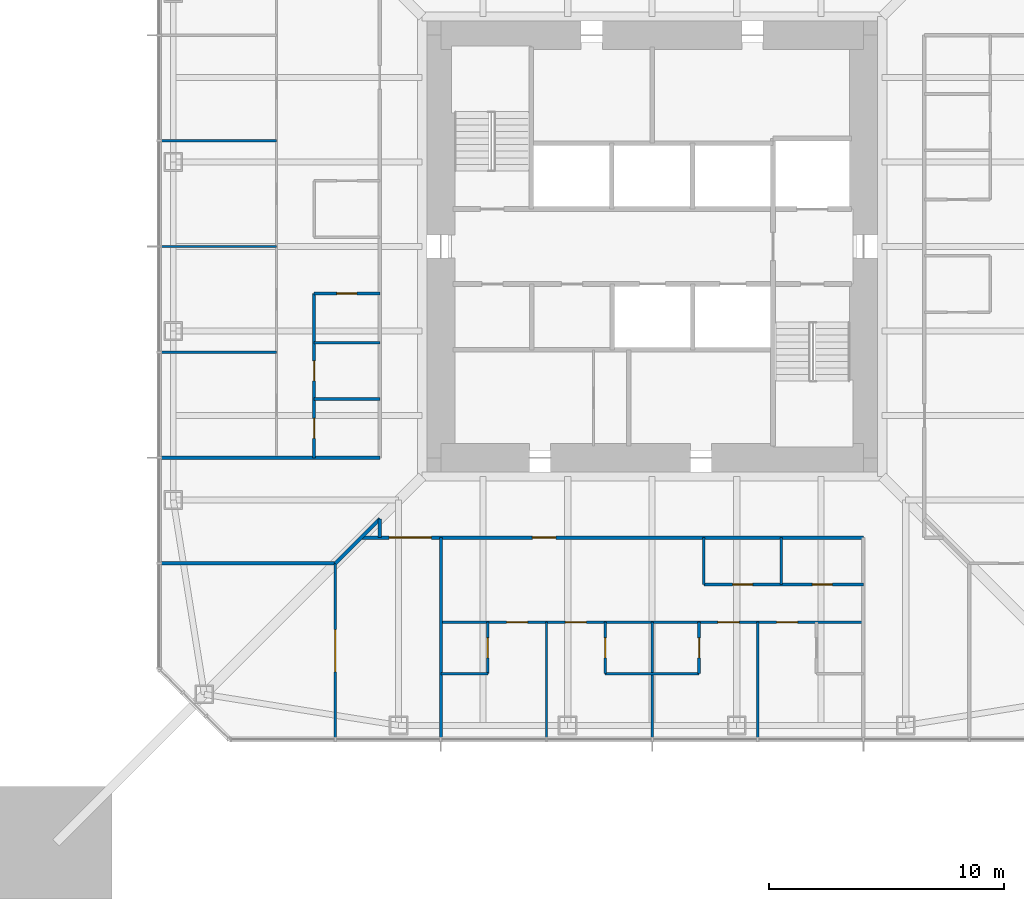
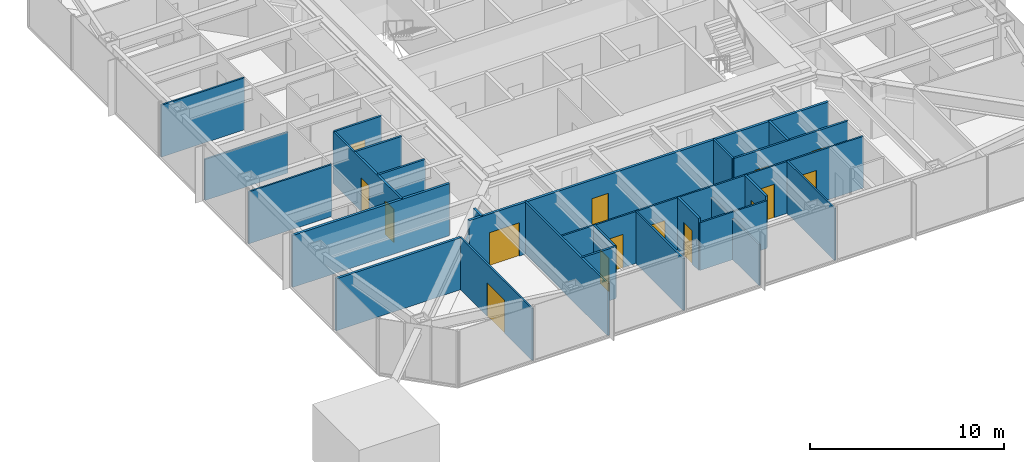
# One storey, part 13 of 25: 26 walls, 15 doors, 15 openings.
"""IFC4 building model written with IfcOpenShell, lengths in metres."""

from ifc_helpers import new_model, si_unit, direction, frame, frame_2d, origin, place, context, subcontext, project, spatial, rectangle, extrude, material, layer, layer_set, type_object, element, fill, save


model = new_model("IFC4")

# Units and contexts
model_context = context("Model", 3, precision=1e-05, world=origin(), true_north=direction((0.0, 1.0)))
body_context = subcontext(model_context, "Body", "Model", "MODEL_VIEW")
ifc_project = project(units=[si_unit("LENGTHUNIT", "METRE"), si_unit("AREAUNIT", "SQUARE_METRE"), si_unit("VOLUMEUNIT", "CUBIC_METRE"), si_unit("PLANEANGLEUNIT", "RADIAN"), si_unit("MASSUNIT", "GRAM", prefix="KILO")], contexts=[model_context])

# Site, building, storey
site_placement = place(None, origin())
site = spatial("IfcSite", under=ifc_project, at=site_placement, CompositionType="ELEMENT")
building_placement = place(site_placement, origin())
building = spatial("IfcBuilding", under=site, at=building_placement, Name="Iwan Alto Co-Living Towers", CompositionType="ELEMENT")
storey_placement = place(building_placement, frame((0.0, 0.0, 87.5)))
storey = spatial("IfcBuildingStorey", under=building, at=storey_placement, Name="L23", CompositionType="ELEMENT", Elevation=87.5)

# Wall
ifc_material_1 = material(Name="Gypsum board")
ifc_layer_1 = layer(ifc_material_1, 0.02490234375, Name="Board", Category="Finish")
ifc_material_2 = material(Name="Steel ASTM A1003 ST33H cold-formed studs", Category="steel")
ifc_layer_2 = layer(ifc_material_2, 0.10009765625, Name="Studs", Category="Framing")
ifc_layer_3 = layer(ifc_material_1, 0.02490234375, Name="Board", Category="Finish")
ifc_layer_set_1 = layer_set([ifc_layer_1, ifc_layer_2, ifc_layer_3], Name="CORRIDOR WALL 150")
wall_type_1 = type_object("IfcWallType", Name="CORRIDOR WALL 150", PredefinedType="PARTITIONING", material=ifc_layer_set_1)
wall_1_placement = place(storey_placement, frame((-20.93994140625, -13.5, 0.0), z_axis=(0.0, 0.0, 1.0), x_axis=(1.0, 0.0, 0.0)))
element("IfcWall", 1, at=wall_1_placement, inside=storey, type_object=wall_type_1, Name="Partition L23", PredefinedType="PARTITIONING", context=body_context, shape_type="SweptSolid", body=[
    extrude(rectangle(XDim=7.43994140625, YDim=0.14990234375, at=frame_2d((3.719970703125, 0.0))), origin(), (0.0, 0.0, 1.0), 3.27001953125),
])

# Wall, openings, doors
wall_2_placement = place(storey_placement, frame((-12.39990234375, -12.39990234375, 0.0), z_axis=(0.0, 0.0, 1.0), x_axis=(1.0, 0.0, 0.0)))
wall_2 = element("IfcWall", 2, at=wall_2_placement, inside=storey, type_object=wall_type_1, Name="Partition L23", PredefinedType="PARTITIONING", context=body_context, shape_type="SweptSolid", body=[
    extrude(rectangle(XDim=21.39990234375, YDim=0.14990234375, at=frame_2d((10.699951171875, 0.0))), origin(), (0.0, 0.0, 1.0), 3.27001953125),
])
opening_1_placement = place(wall_2_placement, frame((1.199951171875, 0.0, 0.0)))
opening_1 = element("IfcOpeningElement", 3, at=opening_1_placement, cuts=wall_2, Name="Opening D9", PredefinedType="OPENING", context=body_context, shape_type="SweptSolid", body=[
    extrude(rectangle(XDim=1.800048828125, YDim=2.10009765625, at=frame_2d((0.89990234375, 1.050048828125))), frame((0.0, 0.0849609375, 0.0), z_axis=(0.0, -1.0, 0.0), x_axis=(1.0, 0.0, 0.0)), (0.0, 0.0, 1.0), 0.169921875),
])
opening_2_placement = place(wall_2_placement, frame((7.300048828125, 0.0, 0.0)))
opening_2 = element("IfcOpeningElement", 4, at=opening_2_placement, cuts=wall_2, Name="Opening D3", PredefinedType="OPENING", context=body_context, shape_type="SweptSolid", body=[
    extrude(rectangle(XDim=1.0, YDim=2.10009765625, at=frame_2d((0.5, 1.050048828125))), frame((0.0, 0.0849609375, 0.0), z_axis=(0.0, -1.0, 0.0), x_axis=(1.0, 0.0, 0.0)), (0.0, 0.0, 1.0), 0.169921875),
])
ifc_material_3 = material(Name="Steel frame with timber leaf", Category="steel")
door_type_1 = type_object("IfcDoorType", Name="FLAT ENTRANCE DOOR FD30S 1000X2100", OperationType="SINGLE_SWING_LEFT", PredefinedType="DOOR", material=ifc_material_3)
door_1_placement = place(opening_2_placement, frame((1.0, 0.0, 0.0), z_axis=(0.0, 0.0, 1.0), x_axis=(-1.0, 0.0, 0.0)))
door_1 = element("IfcDoor", 5, at=door_1_placement, inside=storey, type_object=door_type_1, Name="Cluster lounge and shared kitchen door L23", OperationType="SINGLE_SWING_RIGHT", OverallHeight=2.10009765625, OverallWidth=1.0, PredefinedType="DOOR", context=body_context, shape_type="SweptSolid", body=[
    extrude(rectangle(XDim=1.0, YDim=2.10009765625, at=frame_2d((0.5, 1.050048828125))), frame((0.0, 0.02490234375, 0.0), z_axis=(0.0, -1.0, 0.0), x_axis=(1.0, 0.0, 0.0)), (0.0, 0.0, 1.0), 0.050048828125),
])
fill(opening_2, door_1)
ifc_material_4 = material(Name="Steel frame with timber leaf", Category="steel")
door_type_2 = type_object("IfcDoorType", Name="LOUNGE DOOR FD30S 1800X2100", OperationType="DOUBLE_DOOR_SINGLE_SWING", PredefinedType="DOOR", material=ifc_material_4)
door_2_placement = place(opening_1_placement, frame((1.800048828125, 0.0, 0.0), z_axis=(0.0, 0.0, 1.0), x_axis=(-1.0, 0.0, 0.0)))
door_2 = element("IfcDoor", 6, at=door_2_placement, inside=storey, type_object=door_type_2, Name="Study commons door L23", OperationType="DOUBLE_DOOR_SINGLE_SWING", OverallHeight=2.10009765625, OverallWidth=1.800048828125, PredefinedType="DOOR", context=body_context, shape_type="SweptSolid", body=[
    extrude(rectangle(XDim=1.800048828125, YDim=2.10009765625, at=frame_2d((0.89990234375, 1.050048828125))), frame((0.0, 0.02490234375, 0.0), z_axis=(0.0, -1.0, 0.0), x_axis=(1.0, 0.0, 0.0)), (0.0, 0.0, 1.0), 0.050048828125),
])
fill(opening_1, door_2)

# Walls
wall_3_placement = place(storey_placement, frame((-20.93994140625, -9.0, 0.0), z_axis=(0.0, 0.0, 1.0), x_axis=(1.0, 0.0, 0.0)))
element("IfcWall", 7, at=wall_3_placement, inside=storey, type_object=wall_type_1, Name="Partition L23", PredefinedType="PARTITIONING", context=body_context, shape_type="SweptSolid", body=[
    extrude(rectangle(XDim=9.33984375, YDim=0.14990234375, at=frame_2d((4.669921875, 0.0))), origin(), (0.0, 0.0, 1.0), 3.27001953125),
])
wall_4_placement = place(storey_placement, frame((-13.5, -13.5, 0.0), z_axis=(0.0, 0.0, 1.0), x_axis=(0.707106781187, 0.707106781187, 0.0)))
element("IfcWall", 8, at=wall_4_placement, inside=storey, type_object=wall_type_1, Name="Partition L23", PredefinedType="PARTITIONING", context=body_context, shape_type="SweptSolid", body=[
    extrude(rectangle(XDim=2.686767578125, YDim=0.14990234375, at=frame_2d((1.34326171875, 0.0))), origin(), (0.0, 0.0, 1.0), 2.343017578125),
])
wall_5_placement = place(storey_placement, frame((-11.60009765625, -12.39990234375, 0.0), z_axis=(0.0, 0.0, 1.0), x_axis=(0.0, 1.0, 0.0)))
element("IfcWall", 9, at=wall_5_placement, inside=storey, type_object=wall_type_1, Name="Partition L23", PredefinedType="PARTITIONING", context=body_context, shape_type="SweptSolid", body=[
    extrude(rectangle(XDim=0.7998046875, YDim=0.14990234375, at=frame_2d((0.39990234375, 0.0))), origin(), (0.0, 0.0, 1.0), 3.27001953125),
])
ifc_layer_4 = layer(ifc_material_1, 0.012451171875, Name="Board", Category="Finish")
ifc_layer_5 = layer(ifc_material_2, 0.074951171875, Name="Studs", Category="Framing")
ifc_layer_6 = layer(ifc_material_1, 0.012451171875, Name="Board", Category="Finish")
ifc_layer_set_2 = layer_set([ifc_layer_4, ifc_layer_5, ifc_layer_6], Name="PARTITION 100")
wall_type_2 = type_object("IfcWallType", Name="PARTITION 100", PredefinedType="PARTITIONING", material=ifc_layer_set_2)
wall_6_placement = place(storey_placement, frame((-2.0, -18.199951171875, 0.0), z_axis=(0.0, 0.0, 1.0), x_axis=(1.0, 0.0, 0.0)))
element("IfcWall", 10, at=wall_6_placement, inside=storey, type_object=wall_type_2, Name="Partition L23", PredefinedType="PARTITIONING", context=body_context, shape_type="SweptSolid", body=[
    extrude(rectangle(XDim=4.0, YDim=0.10009765625, at=frame_2d((2.0, 0.0))), origin(), (0.0, 0.0, 1.0), 3.0),
])

# Wall, openings, doors
wall_7_placement = place(storey_placement, frame((-9.0, -16.0, 0.0), z_axis=(0.0, 0.0, 1.0), x_axis=(1.0, 0.0, 0.0)))
wall_7 = element("IfcWall", 11, at=wall_7_placement, inside=storey, type_object=wall_type_2, Name="Partition L23", PredefinedType="PARTITIONING", context=body_context, shape_type="SweptSolid", body=[
    extrude(rectangle(XDim=18.0, YDim=0.10009765625, at=frame_2d((9.0, 0.0))), origin(), (0.0, 0.0, 1.0), 3.27001953125),
])
opening_3_placement = place(wall_7_placement, frame((2.800048828125, 0.0, 0.0)))
opening_3 = element("IfcOpeningElement", 12, at=opening_3_placement, cuts=wall_7, Name="Opening D1", PredefinedType="OPENING", context=body_context, shape_type="SweptSolid", body=[
    extrude(rectangle(XDim=0.89990234375, YDim=2.10009765625, at=frame_2d((0.449951171875, 1.050048828125))), frame((0.0, 0.06005859375, 0.0), z_axis=(0.0, -1.0, 0.0), x_axis=(1.0, 0.0, 0.0)), (0.0, 0.0, 1.0), 0.1201171875),
])
opening_4_placement = place(wall_7_placement, frame((5.300048828125, 0.0, 0.0)))
opening_4 = element("IfcOpeningElement", 13, at=opening_4_placement, cuts=wall_7, Name="Opening D1", PredefinedType="OPENING", context=body_context, shape_type="SweptSolid", body=[
    extrude(rectangle(XDim=0.89990234375, YDim=2.10009765625, at=frame_2d((0.449951171875, 1.050048828125))), frame((0.0, 0.06005859375, 0.0), z_axis=(0.0, -1.0, 0.0), x_axis=(1.0, 0.0, 0.0)), (0.0, 0.0, 1.0), 0.1201171875),
])
opening_5_placement = place(wall_7_placement, frame((11.800048828125, 0.0, 0.0)))
opening_5 = element("IfcOpeningElement", 14, at=opening_5_placement, cuts=wall_7, Name="Opening D1", PredefinedType="OPENING", context=body_context, shape_type="SweptSolid", body=[
    extrude(rectangle(XDim=0.89990234375, YDim=2.10009765625, at=frame_2d((0.449951171875, 1.050048828125))), frame((0.0, 0.06005859375, 0.0), z_axis=(0.0, -1.0, 0.0), x_axis=(1.0, 0.0, 0.0)), (0.0, 0.0, 1.0), 0.1201171875),
])
opening_6_placement = place(wall_7_placement, frame((14.300048828125, 0.0, 0.0)))
opening_6 = element("IfcOpeningElement", 15, at=opening_6_placement, cuts=wall_7, Name="Opening D1", PredefinedType="OPENING", context=body_context, shape_type="SweptSolid", body=[
    extrude(rectangle(XDim=0.89990234375, YDim=2.10009765625, at=frame_2d((0.449951171875, 1.050048828125))), frame((0.0, 0.06005859375, 0.0), z_axis=(0.0, -1.0, 0.0), x_axis=(1.0, 0.0, 0.0)), (0.0, 0.0, 1.0), 0.1201171875),
])
ifc_material_5 = material(Name="Timber leaf in steel frame", Category="steel")
door_type_3 = type_object("IfcDoorType", Name="BEDROOM DOOR 900X2100", OperationType="SINGLE_SWING_LEFT", PredefinedType="DOOR", material=ifc_material_5)
door_3_placement = place(opening_3_placement, origin())
door_3 = element("IfcDoor", 16, at=door_3_placement, inside=storey, type_object=door_type_3, Name="Study bedroom door L23", OperationType="SINGLE_SWING_LEFT", OverallHeight=2.10009765625, OverallWidth=0.89990234375, PredefinedType="DOOR", context=body_context, shape_type="SweptSolid", body=[
    extrude(rectangle(XDim=0.89990234375, YDim=2.10009765625, at=frame_2d((0.449951171875, 1.050048828125))), frame((0.0, 0.02490234375, 0.0), z_axis=(0.0, -1.0, 0.0), x_axis=(1.0, 0.0, 0.0)), (0.0, 0.0, 1.0), 0.050048828125),
])
fill(opening_3, door_3)
door_4_placement = place(opening_4_placement, origin())
door_4 = element("IfcDoor", 17, at=door_4_placement, inside=storey, type_object=door_type_3, Name="Study bedroom door L23", OperationType="SINGLE_SWING_LEFT", OverallHeight=2.10009765625, OverallWidth=0.89990234375, PredefinedType="DOOR", context=body_context, shape_type="SweptSolid", body=[
    extrude(rectangle(XDim=0.89990234375, YDim=2.10009765625, at=frame_2d((0.449951171875, 1.050048828125))), frame((0.0, 0.02490234375, 0.0), z_axis=(0.0, -1.0, 0.0), x_axis=(1.0, 0.0, 0.0)), (0.0, 0.0, 1.0), 0.050048828125),
])
fill(opening_4, door_4)
door_5_placement = place(opening_5_placement, origin())
door_5 = element("IfcDoor", 18, at=door_5_placement, inside=storey, type_object=door_type_3, Name="Study bedroom door L23", OperationType="SINGLE_SWING_RIGHT", OverallHeight=2.10009765625, OverallWidth=0.89990234375, PredefinedType="DOOR", context=body_context, shape_type="SweptSolid", body=[
    extrude(rectangle(XDim=0.89990234375, YDim=2.10009765625, at=frame_2d((0.449951171875, 1.050048828125))), frame((0.0, 0.02490234375, 0.0), z_axis=(0.0, -1.0, 0.0), x_axis=(1.0, 0.0, 0.0)), (0.0, 0.0, 1.0), 0.050048828125),
])
fill(opening_5, door_5)
door_6_placement = place(opening_6_placement, origin())
door_6 = element("IfcDoor", 19, at=door_6_placement, inside=storey, type_object=door_type_3, Name="Study bedroom door L23", OperationType="SINGLE_SWING_RIGHT", OverallHeight=2.10009765625, OverallWidth=0.89990234375, PredefinedType="DOOR", context=body_context, shape_type="SweptSolid", body=[
    extrude(rectangle(XDim=0.89990234375, YDim=2.10009765625, at=frame_2d((0.449951171875, 1.050048828125))), frame((0.0, 0.02490234375, 0.0), z_axis=(0.0, -1.0, 0.0), x_axis=(1.0, 0.0, 0.0)), (0.0, 0.0, 1.0), 0.050048828125),
])
fill(opening_6, door_6)

# Walls
wall_8_placement = place(storey_placement, frame((-20.93994140625, -4.5, 0.0), z_axis=(0.0, 0.0, 1.0), x_axis=(1.0, 0.0, 0.0)))
element("IfcWall", 20, at=wall_8_placement, inside=storey, type_object=wall_type_2, Name="Partition L23", PredefinedType="PARTITIONING", context=body_context, shape_type="SweptSolid", body=[
    extrude(rectangle(XDim=4.93994140625, YDim=0.10009765625, at=frame_2d((2.469970703125, 0.0))), origin(), (0.0, 0.0, 1.0), 3.27001953125),
])
wall_9_placement = place(storey_placement, frame((-20.93994140625, 0.0, 0.0), z_axis=(0.0, 0.0, 1.0), x_axis=(1.0, 0.0, 0.0)))
element("IfcWall", 21, at=wall_9_placement, inside=storey, type_object=wall_type_2, Name="Partition L23", PredefinedType="PARTITIONING", context=body_context, shape_type="SweptSolid", body=[
    extrude(rectangle(XDim=4.93994140625, YDim=0.10009765625, at=frame_2d((2.469970703125, 0.0))), origin(), (0.0, 0.0, 1.0), 2.586669921875),
])
for number, where, z_axis, x_axis, name in (
    (22, (-20.93994140625, 4.5, 0.0), (0.0, 0.0, 1.0), (1.0, 0.0, 0.0), "Partition L23"),
    (23, (4.5, -20.93994140625, 0.0), (0.0, 0.0, 1.0), (0.0, 1.0, 0.0), "Partition L23"),
):
    element("IfcWall", number, at=place(storey_placement, frame(where, z_axis=z_axis, x_axis=x_axis)), inside=storey, type_object=wall_type_2, Name=name, PredefinedType="PARTITIONING", context=body_context, shape_type="SweptSolid", body=[
        extrude(rectangle(XDim=4.93994140625, YDim=0.10009765625, at=frame_2d((2.469970703125, 0.0))), origin(), (0.0, 0.0, 1.0), 3.27001953125),
    ])
wall_10_placement = place(storey_placement, frame((0.0, -20.93994140625, 0.0), z_axis=(0.0, 0.0, 1.0), x_axis=(0.0, 1.0, 0.0)))
element("IfcWall", 24, at=wall_10_placement, inside=storey, type_object=wall_type_2, Name="Partition L23", PredefinedType="PARTITIONING", context=body_context, shape_type="SweptSolid", body=[
    extrude(rectangle(XDim=4.93994140625, YDim=0.10009765625, at=frame_2d((2.469970703125, 0.0))), origin(), (0.0, 0.0, 1.0), 2.586669921875),
])
wall_11_placement = place(storey_placement, frame((-4.5, -20.93994140625, 0.0), z_axis=(0.0, 0.0, 1.0), x_axis=(0.0, 1.0, 0.0)))
element("IfcWall", 25, at=wall_11_placement, inside=storey, type_object=wall_type_2, Name="Partition L23", PredefinedType="PARTITIONING", context=body_context, shape_type="SweptSolid", body=[
    extrude(rectangle(XDim=4.93994140625, YDim=0.10009765625, at=frame_2d((2.469970703125, 0.0))), origin(), (0.0, 0.0, 1.0), 3.27001953125),
])

# Wall, opening, door
wall_12_placement = place(storey_placement, frame((-13.5, -20.93994140625, 0.0), z_axis=(0.0, 0.0, 1.0), x_axis=(0.0, 1.0, 0.0)))
wall_12 = element("IfcWall", 26, at=wall_12_placement, inside=storey, type_object=wall_type_2, Name="Partition L23", PredefinedType="PARTITIONING", context=body_context, shape_type="SweptSolid", body=[
    extrude(rectangle(XDim=7.43994140625, YDim=0.10009765625, at=frame_2d((3.719970703125, 0.0))), origin(), (0.0, 0.0, 1.0), 3.27001953125),
])
opening_7_placement = place(wall_12_placement, frame((2.820068359375, 0.0, 0.0)))
opening_7 = element("IfcOpeningElement", 27, at=opening_7_placement, cuts=wall_12, Name="Opening D14", PredefinedType="OPENING", context=body_context, shape_type="SweptSolid", body=[
    extrude(rectangle(XDim=1.800048828125, YDim=2.10009765625, at=frame_2d((0.89990234375, 1.050048828125))), frame((0.0, 0.06005859375, 0.0), z_axis=(0.0, -1.0, 0.0), x_axis=(1.0, 0.0, 0.0)), (0.0, 0.0, 1.0), 0.1201171875),
])
ifc_material_6 = material(Name="Timber leaf in steel frame", Category="steel")
door_type_4 = type_object("IfcDoorType", Name="LOUNGE DOOR 1800X2100", OperationType="DOUBLE_DOOR_SINGLE_SWING", PredefinedType="DOOR", material=ifc_material_6)
door_7_placement = place(opening_7_placement, origin())
door_7 = element("IfcDoor", 28, at=door_7_placement, inside=storey, type_object=door_type_4, Name="Courtyard lounge door L23", OperationType="DOUBLE_DOOR_SINGLE_SWING", OverallHeight=2.10009765625, OverallWidth=1.800048828125, PredefinedType="DOOR", context=body_context, shape_type="SweptSolid", body=[
    extrude(rectangle(XDim=1.800048828125, YDim=2.10009765625, at=frame_2d((0.89990234375, 1.050048828125))), frame((0.0, 0.02490234375, 0.0), z_axis=(0.0, -1.0, 0.0), x_axis=(1.0, 0.0, 0.0)), (0.0, 0.0, 1.0), 0.050048828125),
])
fill(opening_7, door_7)

# Wall
ifc_material_7 = material(Name="Cement board")
ifc_layer_7 = layer(ifc_material_7, 0.012451171875, Name="Board", Category="Finish")
ifc_layer_8 = layer(ifc_material_2, 0.094970703125, Name="Studs", Category="Framing")
ifc_layer_9 = layer(ifc_material_7, 0.012451171875, Name="Board", Category="Finish")
ifc_layer_set_3 = layer_set([ifc_layer_7, ifc_layer_8, ifc_layer_9], Name="WET AREA PARTITION 120")
wall_type_3 = type_object("IfcWallType", Name="WET AREA PARTITION 120", PredefinedType="PARTITIONING", material=ifc_layer_set_3)
wall_13_placement = place(storey_placement, frame((-9.0, -18.199951171875, 0.0), z_axis=(0.0, 0.0, 1.0), x_axis=(1.0, 0.0, 0.0)))
element("IfcWall", 29, at=wall_13_placement, inside=storey, type_object=wall_type_3, Name="Partition L23", PredefinedType="PARTITIONING", context=body_context, shape_type="SweptSolid", body=[
    extrude(rectangle(XDim=2.0, YDim=0.1201171875, at=frame_2d((1.0, 0.0))), origin(), (0.0, 0.0, 1.0), 3.27001953125),
])

# Wall, openings, doors
wall_14_placement = place(storey_placement, frame((2.199951171875, -14.39990234375, 0.0), z_axis=(0.0, 0.0, 1.0), x_axis=(1.0, 0.0, 0.0)))
wall_14 = element("IfcWall", 30, at=wall_14_placement, inside=storey, type_object=wall_type_3, Name="Partition L23", PredefinedType="PARTITIONING", context=body_context, shape_type="SweptSolid", body=[
    extrude(rectangle(XDim=6.800048828125, YDim=0.1201171875, at=frame_2d((3.39990234375, 0.0))), origin(), (0.0, 0.0, 1.0), 3.27001953125),
])
opening_8_placement = place(wall_14_placement, frame((1.22509765625, 0.0, 0.0)))
opening_8 = element("IfcOpeningElement", 31, at=opening_8_placement, cuts=wall_14, Name="Opening D2", PredefinedType="OPENING", context=body_context, shape_type="SweptSolid", body=[
    extrude(rectangle(XDim=0.85009765625, YDim=2.10009765625, at=frame_2d((0.425048828125, 1.050048828125))), frame((0.0, 0.070068359375, 0.0), z_axis=(0.0, -1.0, 0.0), x_axis=(1.0, 0.0, 0.0)), (0.0, 0.0, 1.0), 0.14013671875),
])
opening_9_placement = place(wall_14_placement, frame((4.625, 0.0, 0.0)))
opening_9 = element("IfcOpeningElement", 32, at=opening_9_placement, cuts=wall_14, Name="Opening D2", PredefinedType="OPENING", context=body_context, shape_type="SweptSolid", body=[
    extrude(rectangle(XDim=0.85009765625, YDim=2.10009765625, at=frame_2d((0.425048828125, 1.050048828125))), frame((0.0, 0.070068359375, 0.0), z_axis=(0.0, -1.0, 0.0), x_axis=(1.0, 0.0, 0.0)), (0.0, 0.0, 1.0), 0.14013671875),
])
ifc_material_8 = material(Name="Timber leaf in steel frame", Category="steel")
door_type_5 = type_object("IfcDoorType", Name="ROOM DOOR 850X2100", OperationType="SINGLE_SWING_LEFT", PredefinedType="DOOR", material=ifc_material_8)
door_8_placement = place(opening_8_placement, frame((0.85009765625, 0.0, 0.0), z_axis=(0.0, 0.0, 1.0), x_axis=(-1.0, 0.0, 0.0)))
door_8 = element("IfcDoor", 33, at=door_8_placement, inside=storey, type_object=door_type_5, Name="Accessible bathroom door L23", OperationType="SINGLE_SWING_LEFT", OverallHeight=2.10009765625, OverallWidth=0.85009765625, PredefinedType="DOOR", context=body_context, shape_type="SweptSolid", body=[
    extrude(rectangle(XDim=0.85009765625, YDim=2.10009765625, at=frame_2d((0.425048828125, 1.050048828125))), frame((0.0, 0.02490234375, 0.0), z_axis=(0.0, -1.0, 0.0), x_axis=(1.0, 0.0, 0.0)), (0.0, 0.0, 1.0), 0.050048828125),
])
fill(opening_8, door_8)
door_9_placement = place(opening_9_placement, frame((0.85009765625, 0.0, 0.0), z_axis=(0.0, 0.0, 1.0), x_axis=(-1.0, 0.0, 0.0)))
door_9 = element("IfcDoor", 34, at=door_9_placement, inside=storey, type_object=door_type_5, Name="Laundry door L23", OperationType="SINGLE_SWING_LEFT", OverallHeight=2.10009765625, OverallWidth=0.85009765625, PredefinedType="DOOR", context=body_context, shape_type="SweptSolid", body=[
    extrude(rectangle(XDim=0.85009765625, YDim=2.10009765625, at=frame_2d((0.425048828125, 1.050048828125))), frame((0.0, 0.02490234375, 0.0), z_axis=(0.0, -1.0, 0.0), x_axis=(1.0, 0.0, 0.0)), (0.0, 0.0, 1.0), 0.050048828125),
])
fill(opening_9, door_9)

# Walls
for number, where, z_axis, x_axis, name in (
    (35, (-14.39990234375, -6.5, 0.0), (0.0, 0.0, 1.0), (1.0, 0.0, 0.0), "Partition L23"),
    (36, (-14.39990234375, -4.10009765625, 0.0), (0.0, 0.0, 1.0), (1.0, 0.0, 0.0), "Partition L23"),
):
    element("IfcWall", number, at=place(storey_placement, frame(where, z_axis=z_axis, x_axis=x_axis)), inside=storey, type_object=wall_type_3, Name=name, PredefinedType="PARTITIONING", context=body_context, shape_type="SweptSolid", body=[
        extrude(rectangle(XDim=2.7998046875, YDim=0.1201171875, at=frame_2d((1.39990234375, 0.0))), origin(), (0.0, 0.0, 1.0), 3.27001953125),
    ])

# Wall, opening, door
wall_15_placement = place(storey_placement, frame((-14.39990234375, -2.0, 0.0), z_axis=(0.0, 0.0, 1.0), x_axis=(1.0, 0.0, 0.0)))
wall_15 = element("IfcWall", 37, at=wall_15_placement, inside=storey, type_object=wall_type_3, Name="Partition L23", PredefinedType="PARTITIONING", context=body_context, shape_type="SweptSolid", body=[
    extrude(rectangle(XDim=2.7998046875, YDim=0.1201171875, at=frame_2d((1.39990234375, 0.0))), origin(), (0.0, 0.0, 1.0), 3.27001953125),
])
opening_10_placement = place(wall_15_placement, frame((0.97509765625, 0.0, 0.0)))
opening_10 = element("IfcOpeningElement", 38, at=opening_10_placement, cuts=wall_15, Name="Opening D2", PredefinedType="OPENING", context=body_context, shape_type="SweptSolid", body=[
    extrude(rectangle(XDim=0.85009765625, YDim=2.10009765625, at=frame_2d((0.425048828125, 1.050048828125))), frame((0.0, 0.070068359375, 0.0), z_axis=(0.0, -1.0, 0.0), x_axis=(1.0, 0.0, 0.0)), (0.0, 0.0, 1.0), 0.14013671875),
])
door_10_placement = place(opening_10_placement, origin())
door_10 = element("IfcDoor", 39, at=door_10_placement, inside=storey, type_object=door_type_5, Name="Bathroom door L23", OperationType="SINGLE_SWING_RIGHT", OverallHeight=2.10009765625, OverallWidth=0.85009765625, PredefinedType="DOOR", context=body_context, shape_type="SweptSolid", body=[
    extrude(rectangle(XDim=0.85009765625, YDim=2.10009765625, at=frame_2d((0.425048828125, 1.050048828125))), frame((0.0, 0.02490234375, 0.0), z_axis=(0.0, -1.0, 0.0), x_axis=(1.0, 0.0, 0.0)), (0.0, 0.0, 1.0), 0.050048828125),
])
fill(opening_10, door_10)

# Walls
for number, where, z_axis, x_axis, name in (
    (40, (5.5, -14.39990234375, 0.0), (0.0, 0.0, 1.0), (0.0, 1.0, 0.0), "Partition L23"),
    (41, (2.199951171875, -14.39990234375, 0.0), (0.0, 0.0, 1.0), (0.0, 1.0, 0.0), "Partition L23"),
):
    element("IfcWall", number, at=place(storey_placement, frame(where, z_axis=z_axis, x_axis=x_axis)), inside=storey, type_object=wall_type_3, Name=name, PredefinedType="PARTITIONING", context=body_context, shape_type="SweptSolid", body=[
        extrude(rectangle(XDim=2.0, YDim=0.1201171875, at=frame_2d((1.0, 0.0))), origin(), (0.0, 0.0, 1.0), 3.27001953125),
    ])

# Wall, opening, door
wall_16_placement = place(storey_placement, frame((2.0, -18.199951171875, 0.0), z_axis=(0.0, 0.0, 1.0), x_axis=(0.0, 1.0, 0.0)))
wall_16 = element("IfcWall", 42, at=wall_16_placement, inside=storey, type_object=wall_type_3, Name="Partition L23", PredefinedType="PARTITIONING", context=body_context, shape_type="SweptSolid", body=[
    extrude(rectangle(XDim=2.199951171875, YDim=0.1201171875, at=frame_2d((1.10009765625, 0.0))), origin(), (0.0, 0.0, 1.0), 3.27001953125),
])
opening_11_placement = place(wall_16_placement, frame((0.675048828125, 0.0, 0.0)))
opening_11 = element("IfcOpeningElement", 43, at=opening_11_placement, cuts=wall_16, Name="Opening D2", PredefinedType="OPENING", context=body_context, shape_type="SweptSolid", body=[
    extrude(rectangle(XDim=0.85009765625, YDim=2.10009765625, at=frame_2d((0.425048828125, 1.050048828125))), frame((0.0, 0.070068359375, 0.0), z_axis=(0.0, -1.0, 0.0), x_axis=(1.0, 0.0, 0.0)), (0.0, 0.0, 1.0), 0.14013671875),
])
door_11_placement = place(opening_11_placement, frame((0.85009765625, 0.0, 0.0), z_axis=(0.0, 0.0, 1.0), x_axis=(-1.0, 0.0, 0.0)))
door_11 = element("IfcDoor", 44, at=door_11_placement, inside=storey, type_object=door_type_5, Name="En-suite shower room door L23", OperationType="SINGLE_SWING_LEFT", OverallHeight=2.10009765625, OverallWidth=0.85009765625, PredefinedType="DOOR", context=body_context, shape_type="SweptSolid", body=[
    extrude(rectangle(XDim=0.85009765625, YDim=2.10009765625, at=frame_2d((0.425048828125, 1.050048828125))), frame((0.0, 0.02490234375, 0.0), z_axis=(0.0, -1.0, 0.0), x_axis=(1.0, 0.0, 0.0)), (0.0, 0.0, 1.0), 0.050048828125),
])
fill(opening_11, door_11)

wall_17_placement = place(storey_placement, frame((-2.0, -18.199951171875, 0.0), z_axis=(0.0, 0.0, 1.0), x_axis=(0.0, 1.0, 0.0)))
wall_17 = element("IfcWall", 45, at=wall_17_placement, inside=storey, type_object=wall_type_3, Name="Partition L23", PredefinedType="PARTITIONING", context=body_context, shape_type="SweptSolid", body=[
    extrude(rectangle(XDim=2.199951171875, YDim=0.1201171875, at=frame_2d((1.10009765625, 0.0))), origin(), (0.0, 0.0, 1.0), 3.27001953125),
])
opening_12_placement = place(wall_17_placement, frame((0.675048828125, 0.0, 0.0)))
opening_12 = element("IfcOpeningElement", 46, at=opening_12_placement, cuts=wall_17, Name="Opening D2", PredefinedType="OPENING", context=body_context, shape_type="SweptSolid", body=[
    extrude(rectangle(XDim=0.85009765625, YDim=2.10009765625, at=frame_2d((0.425048828125, 1.050048828125))), frame((0.0, 0.070068359375, 0.0), z_axis=(0.0, -1.0, 0.0), x_axis=(1.0, 0.0, 0.0)), (0.0, 0.0, 1.0), 0.14013671875),
])
door_12_placement = place(opening_12_placement, origin())
door_12 = element("IfcDoor", 47, at=door_12_placement, inside=storey, type_object=door_type_5, Name="En-suite shower room door L23", OperationType="SINGLE_SWING_RIGHT", OverallHeight=2.10009765625, OverallWidth=0.85009765625, PredefinedType="DOOR", context=body_context, shape_type="SweptSolid", body=[
    extrude(rectangle(XDim=0.85009765625, YDim=2.10009765625, at=frame_2d((0.425048828125, 1.050048828125))), frame((0.0, 0.02490234375, 0.0), z_axis=(0.0, -1.0, 0.0), x_axis=(1.0, 0.0, 0.0)), (0.0, 0.0, 1.0), 0.050048828125),
])
fill(opening_12, door_12)

wall_18_placement = place(storey_placement, frame((-7.0, -18.199951171875, 0.0), z_axis=(0.0, 0.0, 1.0), x_axis=(0.0, 1.0, 0.0)))
wall_18 = element("IfcWall", 48, at=wall_18_placement, inside=storey, type_object=wall_type_3, Name="Partition L23", PredefinedType="PARTITIONING", context=body_context, shape_type="SweptSolid", body=[
    extrude(rectangle(XDim=2.199951171875, YDim=0.1201171875, at=frame_2d((1.10009765625, 0.0))), origin(), (0.0, 0.0, 1.0), 3.27001953125),
])
opening_13_placement = place(wall_18_placement, frame((0.675048828125, 0.0, 0.0)))
opening_13 = element("IfcOpeningElement", 49, at=opening_13_placement, cuts=wall_18, Name="Opening D2", PredefinedType="OPENING", context=body_context, shape_type="SweptSolid", body=[
    extrude(rectangle(XDim=0.85009765625, YDim=2.10009765625, at=frame_2d((0.425048828125, 1.050048828125))), frame((0.0, 0.070068359375, 0.0), z_axis=(0.0, -1.0, 0.0), x_axis=(1.0, 0.0, 0.0)), (0.0, 0.0, 1.0), 0.14013671875),
])
door_13_placement = place(opening_13_placement, frame((0.85009765625, 0.0, 0.0), z_axis=(0.0, 0.0, 1.0), x_axis=(-1.0, 0.0, 0.0)))
door_13 = element("IfcDoor", 50, at=door_13_placement, inside=storey, type_object=door_type_5, Name="En-suite shower room door L23", OperationType="SINGLE_SWING_LEFT", OverallHeight=2.10009765625, OverallWidth=0.85009765625, PredefinedType="DOOR", context=body_context, shape_type="SweptSolid", body=[
    extrude(rectangle(XDim=0.85009765625, YDim=2.10009765625, at=frame_2d((0.425048828125, 1.050048828125))), frame((0.0, 0.02490234375, 0.0), z_axis=(0.0, -1.0, 0.0), x_axis=(1.0, 0.0, 0.0)), (0.0, 0.0, 1.0), 0.050048828125),
])
fill(opening_13, door_13)

# Wall
wall_19_placement = place(storey_placement, frame((-9.0, -20.93994140625, 0.0), z_axis=(0.0, 0.0, 1.0), x_axis=(0.0, 1.0, 0.0)))
element("IfcWall", 51, at=wall_19_placement, inside=storey, type_object=wall_type_3, Name="Partition L23", PredefinedType="PARTITIONING", context=body_context, shape_type="SweptSolid", body=[
    extrude(rectangle(XDim=8.5400390625, YDim=0.1201171875, at=frame_2d((4.27001953125, 0.0))), origin(), (0.0, 0.0, 1.0), 3.27001953125),
])

# Wall, openings, doors
wall_20_placement = place(storey_placement, frame((-14.39990234375, -9.0, 0.0), z_axis=(0.0, 0.0, 1.0), x_axis=(0.0, 1.0, 0.0)))
wall_20 = element("IfcWall", 52, at=wall_20_placement, inside=storey, type_object=wall_type_3, Name="Partition L23", PredefinedType="PARTITIONING", context=body_context, shape_type="SweptSolid", body=[
    extrude(rectangle(XDim=7.0, YDim=0.1201171875, at=frame_2d((3.5, 0.0))), origin(), (0.0, 0.0, 1.0), 3.27001953125),
])
opening_14_placement = place(wall_20_placement, frame((3.27490234375, 0.0, 0.0)))
opening_14 = element("IfcOpeningElement", 53, at=opening_14_placement, cuts=wall_20, Name="Opening D2", PredefinedType="OPENING", context=body_context, shape_type="SweptSolid", body=[
    extrude(rectangle(XDim=0.85009765625, YDim=2.10009765625, at=frame_2d((0.425048828125, 1.050048828125))), frame((0.0, 0.070068359375, 0.0), z_axis=(0.0, -1.0, 0.0), x_axis=(1.0, 0.0, 0.0)), (0.0, 0.0, 1.0), 0.14013671875),
])
opening_15_placement = place(wall_20_placement, frame((0.824951171875, 0.0, 0.0)))
opening_15 = element("IfcOpeningElement", 54, at=opening_15_placement, cuts=wall_20, Name="Opening D2", PredefinedType="OPENING", context=body_context, shape_type="SweptSolid", body=[
    extrude(rectangle(XDim=0.85009765625, YDim=2.10009765625, at=frame_2d((0.425048828125, 1.050048828125))), frame((0.0, 0.070068359375, 0.0), z_axis=(0.0, -1.0, 0.0), x_axis=(1.0, 0.0, 0.0)), (0.0, 0.0, 1.0), 0.14013671875),
])
door_14_placement = place(opening_14_placement, origin())
door_14 = element("IfcDoor", 55, at=door_14_placement, inside=storey, type_object=door_type_5, Name="Accessible bathroom door L23", OperationType="SINGLE_SWING_LEFT", OverallHeight=2.10009765625, OverallWidth=0.85009765625, PredefinedType="DOOR", context=body_context, shape_type="SweptSolid", body=[
    extrude(rectangle(XDim=0.85009765625, YDim=2.10009765625, at=frame_2d((0.425048828125, 1.050048828125))), frame((0.0, 0.02490234375, 0.0), z_axis=(0.0, -1.0, 0.0), x_axis=(1.0, 0.0, 0.0)), (0.0, 0.0, 1.0), 0.050048828125),
])
fill(opening_14, door_14)
door_15_placement = place(opening_15_placement, origin())
door_15 = element("IfcDoor", 56, at=door_15_placement, inside=storey, type_object=door_type_5, Name="Laundry door L23", OperationType="SINGLE_SWING_LEFT", OverallHeight=2.10009765625, OverallWidth=0.85009765625, PredefinedType="DOOR", context=body_context, shape_type="SweptSolid", body=[
    extrude(rectangle(XDim=0.85009765625, YDim=2.10009765625, at=frame_2d((0.425048828125, 1.050048828125))), frame((0.0, 0.02490234375, 0.0), z_axis=(0.0, -1.0, 0.0), x_axis=(1.0, 0.0, 0.0)), (0.0, 0.0, 1.0), 0.050048828125),
])
fill(opening_15, door_15)

save(model, "model.ifc")
